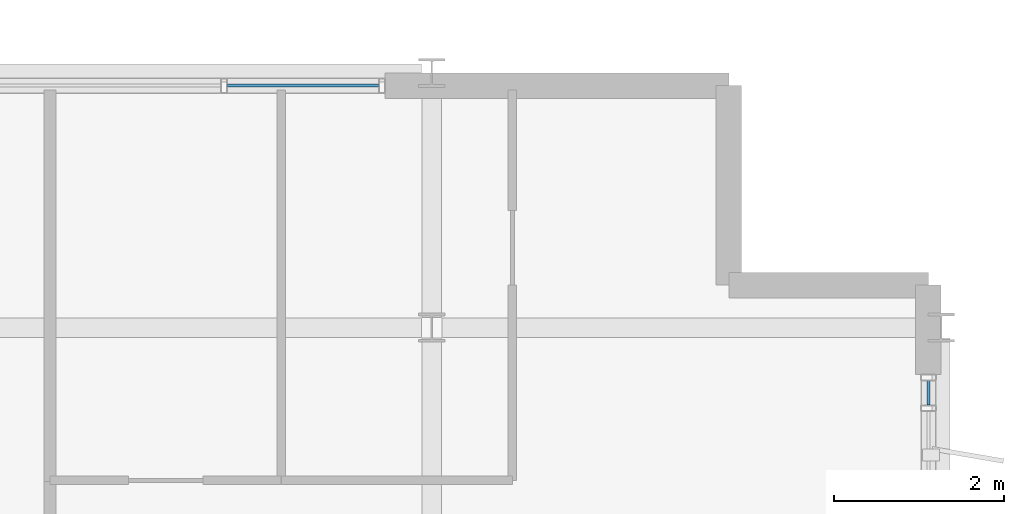
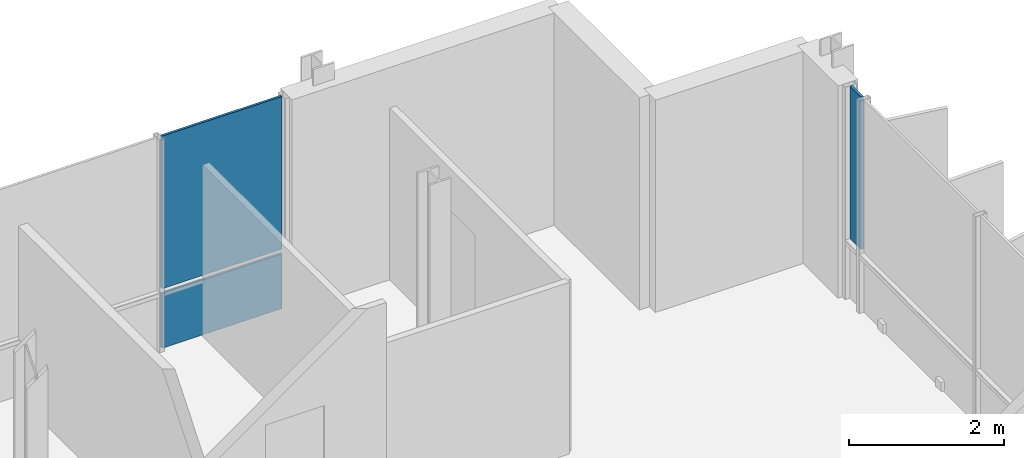
# One storey, part 11 of 18: 3 plates, 2 elements without a shape of their own.
"""IFC4 building model written with IfcOpenShell, lengths in metres."""

from ifc_helpers import new_model, si_unit, direction, frame, origin, origin_2d, place, context, subcontext, project, spatial, rectangle, extrude, material, layer, layer_set, type_object, element, aggregate, save


model = new_model("IFC4")

# Units and contexts
model_context = context("Model", 3, precision=1e-05, world=origin(), true_north=direction((0.0, 1.0)))
body_context = subcontext(model_context, "Body", "Model", "MODEL_VIEW")
ifc_project = project(units=[si_unit("LENGTHUNIT", "METRE"), si_unit("AREAUNIT", "SQUARE_METRE"), si_unit("VOLUMEUNIT", "CUBIC_METRE"), si_unit("PLANEANGLEUNIT", "RADIAN"), si_unit("MASSUNIT", "GRAM", prefix="KILO")], contexts=[model_context])

# Site, building, storey
site_placement = place(None, origin())
site = spatial("IfcSite", under=ifc_project, at=site_placement, CompositionType="ELEMENT")
building_placement = place(site_placement, origin())
building = spatial("IfcBuilding", under=site, at=building_placement, Name="Brevholm Reach", CompositionType="ELEMENT")
storey_placement = place(building_placement, frame((0.0, 0.0, 243.64990234375)))
storey = spatial("IfcBuildingStorey", under=building, at=storey_placement, Name="L74", CompositionType="ELEMENT", Elevation=243.64990234375)

# Curtain wall, plate
ifc_material_1 = material(Name="Dark Anodised Aluminium 6063-T6 and Solar-Control Glass", Category="aluminium")
ifc_layer_1 = layer(ifc_material_1, 0.179931640625)
ifc_layer_set_1 = layer_set([ifc_layer_1], Name="Dark Anodised Aluminium 6063-T6 and Solar-Control Glass")
curtain_wall_type = type_object("IfcCurtainWallType", Name="CW-05", PredefinedType="NOTDEFINED", material=ifc_layer_set_1)
curtain_wall_1_placement = place(storey_placement, origin())
curtain_wall_1 = element("IfcCurtainWall", 1, at=curtain_wall_1_placement, inside=storey, type_object=curtain_wall_type, Name="L74 Curtain Wall CW-05", PredefinedType="NOTDEFINED")
ifc_material_2 = material(Name="Low-Iron Laminated Acoustic Glass", Category="glass")
ifc_layer_2 = layer(ifc_material_2, 0.035888671875)
ifc_layer_set_2 = layer_set([ifc_layer_2], Name="Low-Iron Laminated Acoustic Glass")
plate_type = type_object("IfcPlateType", Name="CWP-GLZ-36", PredefinedType="CURTAIN_PANEL", material=ifc_layer_set_2)
plate_1_placement = place(storey_placement, frame((59.85009765625, 22.731201171875, 0.9375), z_axis=(0.0, 0.0, 1.0), x_axis=(0.0, 1.0, 0.0)))
plate_1 = element("IfcPlate", 2, at=plate_1_placement, type_object=plate_type, Name="CP-02 Glazing Panel 5.2", PredefinedType="CURTAIN_PANEL", context=body_context, shape_type="SweptSolid", body=[
    extrude(rectangle(XDim=0.28759765625, YDim=0.035888671875, at=origin_2d()), origin(), (0.0, 0.0, 1.0), 2.402587890625),
])
aggregate(curtain_wall_1, [plate_1])

# Curtain wall, plates
curtain_wall_2_placement = place(storey_placement, origin())
curtain_wall_2 = element("IfcCurtainWall", 3, at=curtain_wall_2_placement, inside=storey, type_object=curtain_wall_type, Name="L74 Curtain Wall CW-05", PredefinedType="NOTDEFINED")
plate_2_placement = place(storey_placement, frame((52.481201171875, 26.35009765625, 0.0), z_axis=(0.0, 0.0, 1.0), x_axis=(1.0, 0.0, 0.0)))
plate_2 = element("IfcPlate", 4, at=plate_2_placement, type_object=plate_type, Name="CP-02 Glazing Panel 2.1", PredefinedType="CURTAIN_PANEL", context=body_context, shape_type="SweptSolid", body=[
    extrude(rectangle(XDim=1.78759765625, YDim=0.035888671875, at=origin_2d()), origin(), (0.0, 0.0, 1.0), 0.862548828125),
])
plate_3_placement = place(storey_placement, frame((52.481201171875, 26.35009765625, 0.9375), z_axis=(0.0, 0.0, 1.0), x_axis=(1.0, 0.0, 0.0)))
plate_3 = element("IfcPlate", 5, at=plate_3_placement, type_object=plate_type, Name="CP-02 Glazing Panel 2.2", PredefinedType="CURTAIN_PANEL", context=body_context, shape_type="SweptSolid", body=[
    extrude(rectangle(XDim=1.78759765625, YDim=0.035888671875, at=origin_2d()), origin(), (0.0, 0.0, 1.0), 2.402587890625),
])
aggregate(curtain_wall_2, [plate_2, plate_3])

save(model, "model.ifc")
